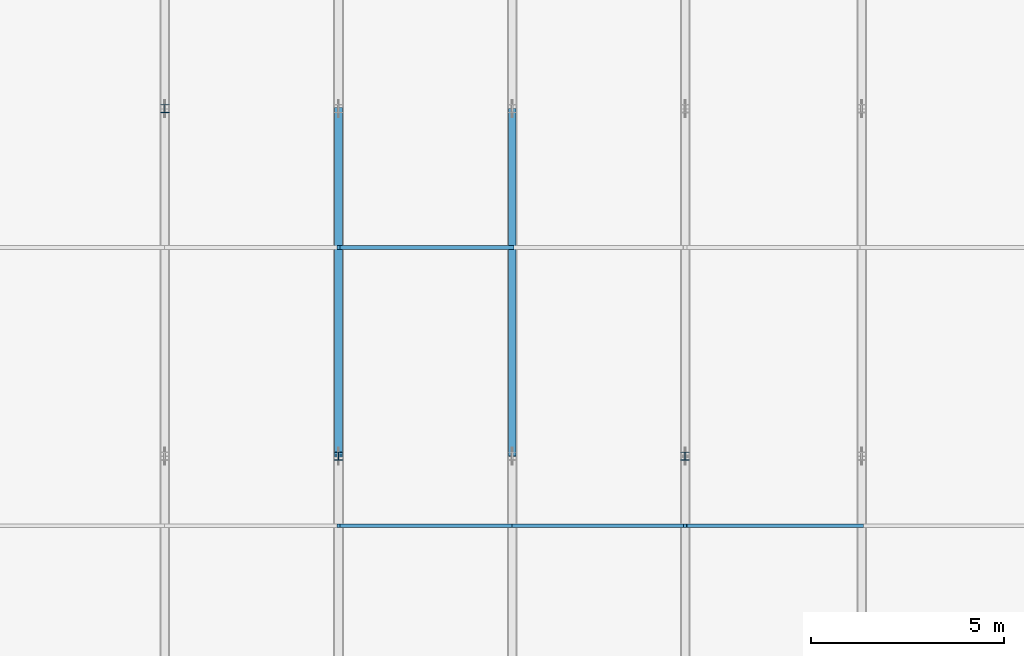
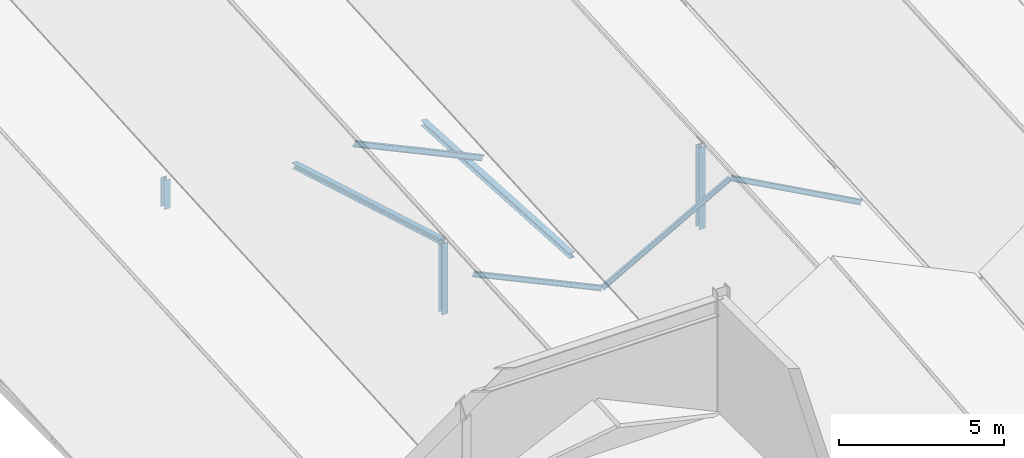
# One storey, part 34 of 142: 9 members.
"""IFC4 building model written with IfcOpenShell, lengths in metres."""

from ifc_helpers import new_model, si_unit, direction, frame, origin, origin_2d, place, context, subcontext, project, spatial, i_section, extrude, material, material_profile, profile_set, type_object, element, save


model = new_model("IFC4")

# Units and contexts
model_context = context("Model", 3, precision=1e-05, world=origin(), true_north=direction((0.0, 1.0)))
body_context = subcontext(model_context, "Body", "Model", "MODEL_VIEW")
ifc_project = project(units=[si_unit("LENGTHUNIT", "METRE"), si_unit("AREAUNIT", "SQUARE_METRE"), si_unit("VOLUMEUNIT", "CUBIC_METRE"), si_unit("PLANEANGLEUNIT", "RADIAN"), si_unit("MASSUNIT", "GRAM", prefix="KILO")], contexts=[model_context])

# Site, building, storey
site_placement = place(None, origin())
site = spatial("IfcSite", under=ifc_project, at=site_placement, CompositionType="ELEMENT")
building_placement = place(site_placement, origin())
building = spatial("IfcBuilding", under=site, at=building_placement, Name="Montelvaro Courts of Justice", CompositionType="ELEMENT")
storey_placement = place(building_placement, frame((0.0, 0.0, 14.39990234375)))
storey = spatial("IfcBuildingStorey", under=building, at=storey_placement, Name="L03", CompositionType="ELEMENT", Elevation=14.39990234375)

# Members
ifc_material = material(Name="Steel S355", Category="steel")
ifc_material_profile_1 = material_profile(ifc_material, i_section(OverallWidth=0.199951171875, OverallDepth=0.18994140625, WebThickness=0.006591796875, FlangeThickness=0.010009765625, at=origin_2d()), Name="HEA 200")
ifc_profile_set_1 = profile_set([ifc_material_profile_1], Name="Steel S355")
member_type_1 = type_object("IfcMemberType", Name="Mem_HEA200_Brace", PredefinedType="BRACE", material=ifc_profile_set_1)
member_1_placement = place(storey_placement, frame((72.0, 51.0, 0.22998046875), z_axis=(0.0, 0.998271944472, -0.058763295342), x_axis=(-1.0, 0.0, 0.0)))
element("IfcMember", 1, at=member_1_placement, inside=storey, type_object=member_type_1, Name="Roof Truss Web MB-02 ROOF-PASSAGE-VTR03-W2", PredefinedType="BRACE", context=body_context, shape_type="SweptSolid", body=[
    extrude(i_section(OverallWidth=0.199951171875, OverallDepth=0.18994140625, WebThickness=0.006591796875, FlangeThickness=0.010009765625, at=origin_2d()), origin(), (0.0, 0.0, 1.0), 9.015625),
])
member_2_placement = place(storey_placement, frame((67.5, 51.0, 2.330078125), z_axis=(0.0, 0.959859900466, -0.28047989496), x_axis=(-1.0, 0.0, 0.0)))
element("IfcMember", 2, at=member_2_placement, inside=storey, type_object=member_type_1, Name="Roof Truss Web MB-02 ROOF-PASSAGE-RTR02-W2", PredefinedType="BRACE", context=body_context, shape_type="SweptSolid", body=[
    extrude(i_section(OverallWidth=0.199951171875, OverallDepth=0.18994140625, WebThickness=0.006591796875, FlangeThickness=0.010009765625, at=origin_2d()), origin(), (0.0, 0.0, 1.0), 9.37646484375),
])
ifc_material_profile_2 = material_profile(ifc_material, i_section(OverallWidth=0.219970703125, OverallDepth=0.2099609375, WebThickness=0.007080078125, FlangeThickness=0.010986328125, at=origin_2d()), Name="HEA 220")
ifc_profile_set_2 = profile_set([ifc_material_profile_2], Name="Steel S355")
member_type_2 = type_object("IfcMemberType", Name="Mem_HEA220_Post", PredefinedType="POST", material=ifc_profile_set_2)
member_3_placement = place(storey_placement, frame((63.0, 60.0, -0.2998046875), z_axis=(0.0, 0.0, 1.0), x_axis=(1.0, 0.0, 0.0)))
element("IfcMember", 3, at=member_3_placement, inside=storey, type_object=member_type_2, Name="Roof Truss Post MP-03 ROOF-PASSAGE-VTR02-V2", PredefinedType="POST", context=body_context, shape_type="SweptSolid", body=[
    extrude(i_section(OverallWidth=0.219970703125, OverallDepth=0.2099609375, WebThickness=0.007080078125, FlangeThickness=0.010986328125, at=origin_2d()), origin(), (0.0, 0.0, 1.0), 1.079833984375),
])
member_4_placement = place(storey_placement, frame((67.5, 51.0, -0.2998046875), z_axis=(0.0, 0.0, 1.0), x_axis=(1.0, 0.0, 0.0)))
element("IfcMember", 4, at=member_4_placement, inside=storey, type_object=member_type_2, Name="Roof Truss Post MP-03 ROOF-PASSAGE-RTR02-V1", PredefinedType="POST", context=body_context, shape_type="SweptSolid", body=[
    extrude(i_section(OverallWidth=0.219970703125, OverallDepth=0.2099609375, WebThickness=0.007080078125, FlangeThickness=0.010986328125, at=origin_2d()), origin(), (0.0, 0.0, 1.0), 2.6298828125),
])
member_5_placement = place(storey_placement, frame((76.47509765625, 51.0, -0.2998046875), z_axis=(0.0, 0.0, 1.0), x_axis=(1.0, 0.0, 0.0)))
element("IfcMember", 5, at=member_5_placement, inside=storey, type_object=member_type_2, Name="Roof Truss Post MP-03 ROOF-PASSAGE-RTR03-V1", PredefinedType="POST", context=body_context, shape_type="SweptSolid", body=[
    extrude(i_section(OverallWidth=0.219970703125, OverallDepth=0.2099609375, WebThickness=0.007080078125, FlangeThickness=0.010986328125, at=origin_2d()), origin(), (0.0, 0.0, 1.0), 3.02978515625),
])
ifc_material_profile_3 = material_profile(ifc_material, i_section(OverallWidth=0.091064453125, OverallDepth=0.179931640625, WebThickness=0.00537109375, FlangeThickness=0.008056640625, at=origin_2d()), Name="IPE 180")
ifc_profile_set_3 = profile_set([ifc_material_profile_3], Name="Steel S355")
member_type_3 = type_object("IfcMemberType", Name="Mem_IPE180_Purlin", PredefinedType="PURLIN", material=ifc_profile_set_3)
member_6_placement = place(storey_placement, frame((67.5, 49.199951171875, 2.22021484375), z_axis=(0.906175603891, 0.0, -0.422901613751), x_axis=(0.0, 1.0, 0.0)))
element("IfcMember", 6, at=member_6_placement, inside=storey, type_object=member_type_3, Name="Roof Purlin MR-01 ROOF-PASSAGE-PRL-02-1R", PredefinedType="PURLIN", context=body_context, shape_type="SweptSolid", body=[
    extrude(i_section(OverallWidth=0.091064453125, OverallDepth=0.179931640625, WebThickness=0.00537109375, FlangeThickness=0.008056640625, at=origin_2d()), origin(), (0.0, 0.0, 1.0), 4.9658203125),
])
member_7_placement = place(storey_placement, frame((72.0, 49.199951171875, 0.1201171875), z_axis=(0.873009091336, 0.0, 0.487703933185), x_axis=(0.0, 1.0, 0.0)))
element("IfcMember", 7, at=member_7_placement, inside=storey, type_object=member_type_3, Name="Roof Purlin MR-01 ROOF-PASSAGE-PRL-03-1L", PredefinedType="PURLIN", context=body_context, shape_type="SweptSolid", body=[
    extrude(i_section(OverallWidth=0.091064453125, OverallDepth=0.179931640625, WebThickness=0.00537109375, FlangeThickness=0.008056640625, at=origin_2d()), origin(), (0.0, 0.0, 1.0), 5.1259765625),
])
member_8_placement = place(storey_placement, frame((76.47509765625, 49.199951171875, 2.6201171875), z_axis=(0.877526647045, 0.0, -0.47952787586), x_axis=(0.0, 1.0, 0.0)))
element("IfcMember", 8, at=member_8_placement, inside=storey, type_object=member_type_3, Name="Roof Purlin MR-01 ROOF-PASSAGE-PRL-03-1R", PredefinedType="PURLIN", context=body_context, shape_type="SweptSolid", body=[
    extrude(i_section(OverallWidth=0.091064453125, OverallDepth=0.179931640625, WebThickness=0.00537109375, FlangeThickness=0.008056640625, at=origin_2d()), origin(), (0.0, 0.0, 1.0), 5.21337890625),
])
ifc_material_profile_4 = material_profile(ifc_material, i_section(OverallWidth=0.10009765625, OverallDepth=0.199951171875, WebThickness=0.005615234375, FlangeThickness=0.008544921875, at=origin_2d()), Name="IPE 200")
ifc_profile_set_4 = profile_set([ifc_material_profile_4], Name="Steel S355")
member_type_4 = type_object("IfcMemberType", Name="Mem_IPE200_Purlin", PredefinedType="PURLIN", material=ifc_profile_set_4)
member_9_placement = place(storey_placement, frame((67.5, 56.39990234375, 2.66015625), z_axis=(0.906175603891, 0.0, -0.422901613751), x_axis=(0.0, 1.0, 0.0)))
element("IfcMember", 9, at=member_9_placement, inside=storey, type_object=member_type_4, Name="Roof Purlin MR-02 ROOF-PASSAGE-PRL-02-2R", PredefinedType="PURLIN", context=body_context, shape_type="SweptSolid", body=[
    extrude(i_section(OverallWidth=0.10009765625, OverallDepth=0.199951171875, WebThickness=0.005615234375, FlangeThickness=0.008544921875, at=origin_2d()), origin(), (0.0, 0.0, 1.0), 4.9658203125),
])

save(model, "model.ifc")
